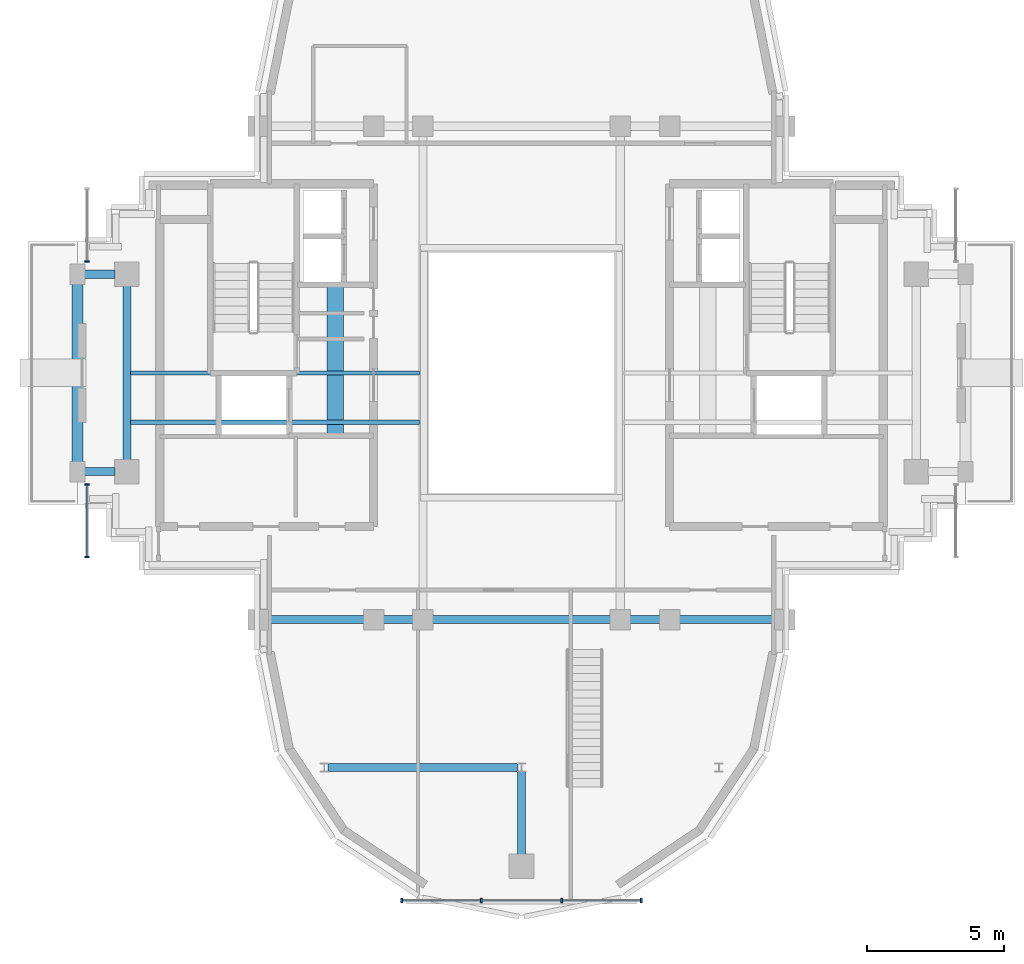
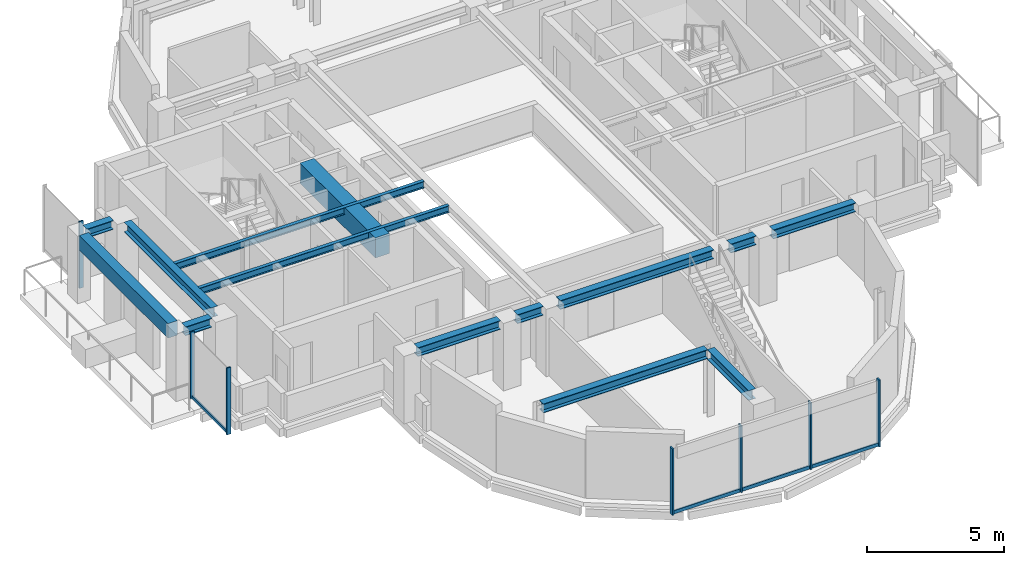
# One storey, part 3 of 12: 14 beams, 11 members, 3 elements without a shape of their own.
"""IFC4 building model written with IfcOpenShell, lengths in metres."""

import ifcopenshell
import ifcopenshell.guid

model = None  # the IFC model being written
_history = None  # IfcOwnerHistory: only IFC2X3 demands one
_inside = {}  # id of a spatial element -> (the spatial element, [elements in it])
_under = {}  # id of a project, library or spatial element -> (it, [spatial elements below it])
_declared = {}  # id of a project -> (the project, [libraries it declares])
_typed = {}  # id of a type object -> (the type object, [elements of that type])
_made_of = {}  # id of a material, layer set ... -> (it, [elements and type objects made of it])


def new_model(schema):
    """Start an empty IFC model of exactly this schema.

    Asked for "IFC4X3", IfcOpenShell would pick the latest addendum, in which some entities
    have other attributes; the version numbers below select the first issue.
    IFC2X3 requires an IfcOwnerHistory on every rooted entity: one is made here for all.
    """
    global model, _history
    if schema == "IFC4X3":
        model = ifcopenshell.file(schema_version=(4, 3, 0, 0))
    else:
        model = ifcopenshell.file(schema=schema)
    _inside.clear()
    _under.clear()
    _declared.clear()
    _typed.clear()
    _made_of.clear()
    _history = None
    if model.schema == "IFC2X3":
        org = make("IfcOrganization", Name="unknown")
        user = make(
            "IfcPersonAndOrganization",
            ThePerson=make("IfcPerson", FamilyName="unknown"),
            TheOrganization=org,
        )
        app = make(
            "IfcApplication",
            ApplicationDeveloper=org,
            Version="unknown",
            ApplicationFullName="unknown",
            ApplicationIdentifier="unknown",
        )
        _history = make(
            "IfcOwnerHistory",
            OwningUser=user,
            OwningApplication=app,
            ChangeAction="ADDED",
            CreationDate=0,
        )
    return model


def make(cls, **values):
    """One entity of the class cls with the attributes given. An attribute that is None is left unset."""
    return model.create_entity(
        cls, **{name: value for name, value in values.items() if value is not None}
    )


def rooted(cls, **values):
    """An entity with a GlobalId (a new one), such as an element, a storey or a relation."""
    return make(cls, GlobalId=ifcopenshell.guid.new(), OwnerHistory=_history, **values)


def si_unit(unit_type, name, prefix=None):
    """IfcSIUnit, for example si_unit("LENGTHUNIT", "METRE", prefix="MILLI")."""
    return make("IfcSIUnit", UnitType=unit_type, Prefix=prefix, Name=name)


def assignment(units):
    """IfcUnitAssignment: the units of a project."""
    return None if units is None else make("IfcUnitAssignment", Units=units)


def point(xyz):
    """IfcCartesianPoint."""
    return None if xyz is None else make("IfcCartesianPoint", Coordinates=xyz)


def direction(xyz):
    """IfcDirection."""
    return None if xyz is None else make("IfcDirection", DirectionRatios=xyz)


def frame(location, z_axis=None, x_axis=None):
    """IfcAxis2Placement3D, a coordinate frame: its origin and axes. An axis left out is left unset."""
    return make(
        "IfcAxis2Placement3D",
        Location=point(location),
        Axis=direction(z_axis),
        RefDirection=direction(x_axis),
    )


def frame_2d(location, x_axis=None):
    """IfcAxis2Placement2D, a coordinate frame in the plane: its origin and x axis."""
    return make(
        "IfcAxis2Placement2D", Location=point(location), RefDirection=direction(x_axis)
    )


def origin():
    """The frame at (0, 0, 0) with its axes left unset."""
    return frame((0.0, 0.0, 0.0))


def origin_2d():
    """The frame at (0, 0) in the plane with its x axis left unset."""
    return frame_2d((0.0, 0.0))


def place(relative_to, where):
    """IfcLocalPlacement: puts the frame where relative to a parent placement (None: the world)."""
    return make(
        "IfcLocalPlacement", PlacementRelTo=relative_to, RelativePlacement=where
    )


def context(
    kind, dimensions, precision=None, world=None, true_north=None, identifier=None
):
    """IfcGeometricRepresentationContext, for example the 3D "Model" context."""
    return make(
        "IfcGeometricRepresentationContext",
        ContextIdentifier=identifier,
        ContextType=kind,
        CoordinateSpaceDimension=dimensions,
        Precision=precision,
        WorldCoordinateSystem=world,
        TrueNorth=true_north,
    )


def subcontext(parent, identifier, kind, view, scale=None):
    """IfcGeometricRepresentationSubContext, for example "Body" below "Model"."""
    return make(
        "IfcGeometricRepresentationSubContext",
        ContextIdentifier=identifier,
        ContextType=kind,
        ParentContext=parent,
        TargetScale=scale,
        TargetView=view,
    )


def project(units=None, contexts=None):
    """IfcProject with its units and contexts."""
    return rooted(
        "IfcProject",
        Name="project",
        RepresentationContexts=contexts,
        UnitsInContext=assignment(units),
    )


def spatial(cls, under=None, at=None, **own):
    """A site, building, storey or space (cls), placed at a placement, below another one or the project."""
    s = rooted(cls, ObjectPlacement=at, **own)
    if under is not None:
        _under.setdefault(under.id(), (under, []))[1].append(s)
    return s


def profile(cls, at=None, kind="AREA", **sizes):
    """A parametric profile (cls). Its sizes go by their IFC names, for example OverallWidth=200.0."""
    return make(cls, ProfileType=kind, Position=at, **sizes)


def rectangle(**sizes):
    """IfcRectangleProfileDef."""
    return profile("IfcRectangleProfileDef", **sizes)


def i_section(**sizes):
    """IfcIShapeProfileDef."""
    return profile("IfcIShapeProfileDef", **sizes)


def extrude(swept, where, along, depth):
    """IfcExtrudedAreaSolid: the profile swept, set in the frame where, extruded along a direction by depth."""
    return make(
        "IfcExtrudedAreaSolid",
        SweptArea=swept,
        Position=where,
        ExtrudedDirection=direction(along),
        Depth=depth,
    )


def shape(context_of_items, identifier, shape_type, items):
    """IfcShapeRepresentation: the items that make up one representation, for example the "Body"."""
    return make(
        "IfcShapeRepresentation",
        ContextOfItems=context_of_items,
        RepresentationIdentifier=identifier,
        RepresentationType=shape_type,
        Items=items,
    )


def source(mapping_origin, context_of_items, identifier, shape_type, items):
    """IfcRepresentationMap: a shape defined once, which mapped items show again and again."""
    return make(
        "IfcRepresentationMap",
        MappingOrigin=mapping_origin,
        MappedRepresentation=shape(context_of_items, identifier, shape_type, items),
    )


def transform(
    local_origin,
    x_axis=None,
    y_axis=None,
    z_axis=None,
    scale=None,
    scale2=None,
    scale3=None,
    uniform=True,
):
    """IfcCartesianTransformationOperator3D, or its non-uniform kind. x_axis, y_axis, z_axis: its Axis1, 2, 3."""
    if uniform:
        return make(
            "IfcCartesianTransformationOperator3D",
            Axis1=direction(x_axis),
            Axis2=direction(y_axis),
            LocalOrigin=point(local_origin),
            Scale=scale,
            Axis3=direction(z_axis),
        )
    return make(
        "IfcCartesianTransformationOperator3DnonUniform",
        Axis1=direction(x_axis),
        Axis2=direction(y_axis),
        LocalOrigin=point(local_origin),
        Scale=scale,
        Axis3=direction(z_axis),
        Scale2=scale2,
        Scale3=scale3,
    )


def mapped(mapping_source, mapping_target):
    """IfcMappedItem: shows the shape of a source again, moved by a transform."""
    return make(
        "IfcMappedItem", MappingSource=mapping_source, MappingTarget=mapping_target
    )


def material(Name=None, Category=None):
    """IfcMaterial."""
    return make("IfcMaterial", Name=Name, Category=Category)


def material_profile(
    of_material, cross_section, Name=None, Category=None, Priority=None
):
    """IfcMaterialProfile: a cross section and its material."""
    return make(
        "IfcMaterialProfile",
        Name=Name,
        Material=of_material,
        Profile=cross_section,
        Priority=Priority,
        Category=Category,
    )


def profile_set(profiles, Name=None, composite=None):
    """IfcMaterialProfileSet."""
    return make(
        "IfcMaterialProfileSet",
        Name=Name,
        MaterialProfiles=profiles,
        CompositeProfile=composite,
    )


def made_of(thing, what):
    """Note that an element or type object is made of a material, layer set ...; save() writes the relation."""
    if what is not None:
        _made_of.setdefault(what.id(), (what, []))[1].append(thing)
    return thing


def type_object(cls, material=None, **own):
    """A type object (cls), such as IfcWallType, which elements share."""
    return made_of(rooted(cls, **own), material)


def element(
    cls,
    number,
    at=None,
    inside=None,
    cuts=None,
    type_object=None,
    material=None,
    context=None,
    identifier="Body",
    shape_type=None,
    held_by="IfcProductDefinitionShape",
    body=None,
    shapes=None,
    **own,
):
    """One element of the class cls, such as IfcWall. Its Tag is "e" and its number.

    at: its placement. inside: the storey or other place that contains it. cuts: it is an
    opening in that element (IfcRelVoidsElement). A single representation is given by context,
    identifier, shape_type and body (its items); several are given by shapes. held_by: the class
    of the entity that holds the representations. save() writes the other relations.
    """
    e = rooted(cls, Tag="e%d" % number, ObjectPlacement=at, **own)
    if body is not None:
        shapes = [shape(context, identifier, shape_type, body)]
    if shapes is not None:
        e.Representation = make(held_by, Representations=shapes)
    if inside is not None:
        _inside.setdefault(inside.id(), (inside, []))[1].append(e)
    if cuts is not None:
        rooted(
            "IfcRelVoidsElement", RelatingBuildingElement=cuts, RelatedOpeningElement=e
        )
    if type_object is not None:
        _typed.setdefault(type_object.id(), (type_object, []))[1].append(e)
    return made_of(e, material)


def aggregate(whole, parts):
    """IfcRelAggregates: a whole, such as a stair, and the parts it consists of."""
    return rooted("IfcRelAggregates", RelatingObject=whole, RelatedObjects=parts)


def save(model, path):
    """Write the relations noted so far, then the file.

    IfcRelAggregates (storeys below a building ...), IfcRelContainedInSpatialStructure (elements
    in a storey), IfcRelDefinesByType, IfcRelAssociatesMaterial and IfcRelDeclares: one each for
    every whole, place, type object, material and project.
    """
    for whole, parts in _under.values():
        aggregate(whole, parts)
    for where, things in _inside.values():
        rooted(
            "IfcRelContainedInSpatialStructure",
            RelatedElements=things,
            RelatingStructure=where,
        )
    for kind, things in _typed.values():
        rooted("IfcRelDefinesByType", RelatedObjects=things, RelatingType=kind)
    for what, things in _made_of.values():
        rooted("IfcRelAssociatesMaterial", RelatedObjects=things, RelatingMaterial=what)
    for by, libraries in _declared.values():
        rooted("IfcRelDeclares", RelatingContext=by, RelatedDefinitions=libraries)
    model.write(path)


model = new_model("IFC4")

# Units and contexts
model_context = context("Model", 3, precision=1e-05, world=origin(), true_north=direction((0.0, 1.0)))
body_context = subcontext(model_context, "Body", "Model", "MODEL_VIEW")
ifc_project = project(units=[si_unit("LENGTHUNIT", "METRE"), si_unit("AREAUNIT", "SQUARE_METRE"), si_unit("VOLUMEUNIT", "CUBIC_METRE"), si_unit("PLANEANGLEUNIT", "RADIAN"), si_unit("MASSUNIT", "GRAM", prefix="KILO")], contexts=[model_context])

# Site, building, storey
site_placement = place(None, origin())
site = spatial("IfcSite", under=ifc_project, at=site_placement, CompositionType="ELEMENT")
building_placement = place(site_placement, origin())
building = spatial("IfcBuilding", under=site, at=building_placement, Name="Keilestroom Media Tower", CompositionType="ELEMENT")
storey_placement = place(building_placement, frame((0.0, 0.0, 252.39990234375)))
storey = spatial("IfcBuildingStorey", under=building, at=storey_placement, Name="L70", CompositionType="ELEMENT", Elevation=252.39990234375)

# Beams
ifc_material_1 = material(Name="Concrete C70/85", Category="concrete")
ifc_material_profile_1 = material_profile(ifc_material_1, rectangle(XDim=0.60009765625, YDim=0.89990234375, at=origin_2d()), Name="RC 600x900")
ifc_profile_set_1 = profile_set([ifc_material_profile_1], Name="Concrete C70/85")
beam_type_1 = type_object("IfcBeamType", Name="Core-Coupling-Lintel-Beam-RC-600x900", PredefinedType="LINTEL", material=ifc_profile_set_1)
shared_shape_1 = source(origin(), body_context, "Body", "SweptSolid", [
    extrude(rectangle(XDim=0.60009765625, YDim=0.89990234375, at=origin_2d()), origin(), (0.0, 0.0, 1.0), 5.52001953125),
])
beam_1_placement = place(storey_placement, frame((-6.800048828125, -2.300048828125, 2.56005859375), z_axis=(0.0, 1.0, 0.0), x_axis=(-1.0, 0.0, 0.0)))
element("IfcBeam", 1, at=beam_1_placement, inside=storey, type_object=beam_type_1, Name="L70 Beam CLB-1 CLB-L70-W", PredefinedType="LINTEL", context=body_context, shape_type="MappedRepresentation", body=[
    mapped(shared_shape_1, transform((0.0, 0.0, 0.0), x_axis=(1.0, 0.0, 0.0), y_axis=(0.0, 1.0, 0.0), z_axis=(0.0, 0.0, 1.0), scale=1.0)),
])
ifc_material_2 = material(Name="Steel S355", Category="steel")
ifc_material_profile_2 = material_profile(ifc_material_2, i_section(OverallWidth=0.300048828125, OverallDepth=0.39990234375, WebThickness=0.011474609375, FlangeThickness=0.02392578125, at=origin_2d()), Name="HEB 400")
ifc_profile_set_2 = profile_set([ifc_material_profile_2], Name="Steel S355")
beam_type_2 = type_object("IfcBeamType", Name="Primary-Structural-Girder-HEB-400", PredefinedType="BEAM", material=ifc_profile_set_2)
shared_shape_2 = source(origin(), body_context, "Body", "SweptSolid", [
    extrude(i_section(OverallWidth=0.300048828125, OverallDepth=0.39990234375, WebThickness=0.011474609375, FlangeThickness=0.02392578125, at=origin_2d()), origin(), (0.0, 0.0, 1.0), 6.940185546875),
])
beam_2_placement = place(storey_placement, frame((-7.070068359375, -14.39990234375, 2.81005859375), z_axis=(1.0, 0.0, 0.0), x_axis=(0.0, 1.0, 0.0)))
element("IfcBeam", 2, at=beam_2_placement, inside=storey, type_object=beam_type_2, Name="L70 Beam BG-8 BM-L70-EW-001", PredefinedType="BEAM", context=body_context, shape_type="MappedRepresentation", body=[
    mapped(shared_shape_2, transform((0.0, 0.0, 0.0), x_axis=(1.0, 0.0, 0.0), y_axis=(0.0, 1.0, 0.0), z_axis=(0.0, 0.0, 1.0), scale=1.0)),
])
shared_shape_3 = source(origin(), body_context, "Body", "SweptSolid", [
    extrude(i_section(OverallWidth=0.300048828125, OverallDepth=0.39990234375, WebThickness=0.011474609375, FlangeThickness=0.02392578125, at=origin_2d()), origin(), (0.0, 0.0, 1.0), 3.490234375),
])
for number, where, z_axis, x_axis, name in (
    (3, (-9.2451171875, -9.0, 2.81005859375), (1.0, 0.0, 0.0), (0.0, 1.0, 0.0), "L70 Beam BG-8 BM-L70-EW-003"),
    (4, (5.7548828125, -9.0, 2.81005859375), (1.0, 0.0, 0.0), (0.0, 1.0, 0.0), "L70 Beam BG-8 BM-L70-EW-007"),
):
    element("IfcBeam", number, at=place(storey_placement, frame(where, z_axis=z_axis, x_axis=x_axis)), inside=storey, type_object=beam_type_2, Name=name, PredefinedType="BEAM", context=body_context, shape_type="MappedRepresentation", body=[
        mapped(shared_shape_3, transform((0.0, 0.0, 0.0), x_axis=(1.0, 0.0, 0.0), y_axis=(0.0, 1.0, 0.0), z_axis=(0.0, 0.0, 1.0), scale=1.0)),
    ])
shared_shape_4 = source(origin(), body_context, "Body", "SweptSolid", [
    extrude(i_section(OverallWidth=0.300048828125, OverallDepth=0.39990234375, WebThickness=0.011474609375, FlangeThickness=0.02392578125, at=origin_2d()), origin(), (0.0, 0.0, 1.0), 1.08984375),
])
for number, where, z_axis, x_axis, name in (
    (5, (-5.044921875, -9.0, 2.81005859375), (1.0, 0.0, 0.0), (0.0, 1.0, 0.0), "L70 Beam BG-8 BM-L70-EW-004"),
    (6, (3.955078125, -9.0, 2.81005859375), (1.0, 0.0, 0.0), (0.0, 1.0, 0.0), "L70 Beam BG-8 BM-L70-EW-006"),
):
    element("IfcBeam", number, at=place(storey_placement, frame(where, z_axis=z_axis, x_axis=x_axis)), inside=storey, type_object=beam_type_2, Name=name, PredefinedType="BEAM", context=body_context, shape_type="MappedRepresentation", body=[
        mapped(shared_shape_4, transform((0.0, 0.0, 0.0), x_axis=(1.0, 0.0, 0.0), y_axis=(0.0, 1.0, 0.0), z_axis=(0.0, 0.0, 1.0), scale=1.0)),
    ])
shared_shape_5 = source(origin(), body_context, "Body", "SweptSolid", [
    extrude(i_section(OverallWidth=0.300048828125, OverallDepth=0.39990234375, WebThickness=0.011474609375, FlangeThickness=0.02392578125, at=origin_2d()), origin(), (0.0, 0.0, 1.0), 6.490234375),
])
beam_3_placement = place(storey_placement, frame((-3.2451171875, -9.0, 2.81005859375), z_axis=(1.0, 0.0, 0.0), x_axis=(0.0, 1.0, 0.0)))
element("IfcBeam", 7, at=beam_3_placement, inside=storey, type_object=beam_type_2, Name="L70 Beam BG-8 BM-L70-EW-005", PredefinedType="BEAM", context=body_context, shape_type="MappedRepresentation", body=[
    mapped(shared_shape_5, transform((0.0, 0.0, 0.0), x_axis=(1.0, 0.0, 0.0), y_axis=(0.0, 1.0, 0.0), z_axis=(0.0, 0.0, 1.0), scale=1.0)),
])
ifc_material_3 = material(Name="Precast concrete C40/50", Category="concrete")
ifc_material_profile_3 = material_profile(ifc_material_3, rectangle(XDim=0.39990234375, YDim=0.64990234375, at=origin_2d()), Name="PC 400x650")
ifc_profile_set_3 = profile_set([ifc_material_profile_3], Name="Precast concrete C40/50")
beam_type_3 = type_object("IfcBeamType", Name="Perimeter-Spandrel-Beam-PC-400x650", PredefinedType="SPANDREL", material=ifc_profile_set_3)
shared_shape_6 = source(origin(), body_context, "Body", "SweptSolid", [
    extrude(rectangle(XDim=0.39990234375, YDim=0.64990234375, at=origin_2d()), origin(), (0.0, 0.0, 1.0), 6.490234375),
])
beam_4_placement = place(storey_placement, frame((-16.199951171875, -3.2451171875, 2.68505859375), z_axis=(0.0, 1.0, 0.0), x_axis=(-1.0, 0.0, 0.0)))
element("IfcBeam", 8, at=beam_4_placement, inside=storey, type_object=beam_type_3, Name="L70 Beam SPB-2 BM-L70-NS-021", PredefinedType="SPANDREL", context=body_context, shape_type="MappedRepresentation", body=[
    mapped(shared_shape_6, transform((0.0, 0.0, 0.0), x_axis=(1.0, 0.0, 0.0), y_axis=(0.0, 1.0, 0.0), z_axis=(0.0, 0.0, 1.0), scale=1.0)),
])
ifc_material_profile_4 = material_profile(ifc_material_2, i_section(OverallWidth=0.300048828125, OverallDepth=0.43994140625, WebThickness=0.011474609375, FlangeThickness=0.02099609375, at=origin_2d()), Name="HEA 450")
ifc_profile_set_4 = profile_set([ifc_material_profile_4], Name="Steel S355")
beam_type_4 = type_object("IfcBeamType", Name="Primary-Structural-Girder-HEA-450", PredefinedType="BEAM", material=ifc_profile_set_4)
shared_shape_7 = source(origin(), body_context, "Body", "SweptSolid", [
    extrude(i_section(OverallWidth=0.300048828125, OverallDepth=0.43994140625, WebThickness=0.011474609375, FlangeThickness=0.02099609375, at=origin_2d()), origin(), (0.0, 0.0, 1.0), 6.33984375),
])
beam_5_placement = place(storey_placement, frame((-14.39990234375, -3.169921875, 2.7900390625), z_axis=(0.0, 1.0, 0.0), x_axis=(-1.0, 0.0, 0.0)))
element("IfcBeam", 9, at=beam_5_placement, inside=storey, type_object=beam_type_4, Name="L70 Beam BG-11 BM-L70-NS-022", PredefinedType="BEAM", context=body_context, shape_type="MappedRepresentation", body=[
    mapped(shared_shape_7, transform((0.0, 0.0, 0.0), x_axis=(1.0, 0.0, 0.0), y_axis=(0.0, 1.0, 0.0), z_axis=(0.0, 0.0, 1.0), scale=1.0)),
])
shared_shape_8 = source(origin(), body_context, "Body", "SweptSolid", [
    extrude(i_section(OverallWidth=0.300048828125, OverallDepth=0.43994140625, WebThickness=0.011474609375, FlangeThickness=0.02099609375, at=origin_2d()), origin(), (0.0, 0.0, 1.0), 3.0400390625),
])
beam_6_placement = place(storey_placement, frame((0.0, -17.570068359375, 2.7900390625), z_axis=(0.0, 1.0, 0.0), x_axis=(-1.0, 0.0, 0.0)))
element("IfcBeam", 10, at=beam_6_placement, inside=storey, type_object=beam_type_4, Name="L70 Beam BG-11 BM-L70-NS-027", PredefinedType="BEAM", context=body_context, shape_type="MappedRepresentation", body=[
    mapped(shared_shape_8, transform((0.0, 0.0, 0.0), x_axis=(1.0, 0.0, 0.0), y_axis=(0.0, 1.0, 0.0), z_axis=(0.0, 0.0, 1.0), scale=1.0)),
])
ifc_material_profile_5 = material_profile(ifc_material_2, i_section(OverallWidth=0.14990234375, OverallDepth=0.300048828125, WebThickness=0.007080078125, FlangeThickness=0.0107421875, at=origin_2d()), Name="IPE 300")
ifc_profile_set_5 = profile_set([ifc_material_profile_5], Name="Steel S355")
beam_type_5 = type_object("IfcBeamType", Name="Secondary-Floor-Joist-IPE-300", PredefinedType="JOIST", material=ifc_profile_set_5)
shared_shape_9 = source(origin(), body_context, "Body", "SweptSolid", [
    extrude(i_section(OverallWidth=0.14990234375, OverallDepth=0.300048828125, WebThickness=0.007080078125, FlangeThickness=0.0107421875, at=origin_2d()), origin(), (0.0, 0.0, 1.0), 10.5400390625),
])
for number, where, z_axis, x_axis, name in (
    (11, (-14.27001953125, -1.800048828125, 2.860107421875), (1.0, 0.0, 0.0), (0.0, 1.0, 0.0), "L70 Beam BJ-7 JST-L70-035"),
    (12, (-14.27001953125, 0.0, 2.860107421875), (1.0, 0.0, 0.0), (0.0, 1.0, 0.0), "L70 Beam BJ-7 JST-L70-038"),
):
    element("IfcBeam", number, at=place(storey_placement, frame(where, z_axis=z_axis, x_axis=x_axis)), inside=storey, type_object=beam_type_5, Name=name, PredefinedType="JOIST", context=body_context, shape_type="MappedRepresentation", body=[
        mapped(shared_shape_9, transform((0.0, 0.0, 0.0), x_axis=(1.0, 0.0, 0.0), y_axis=(0.0, 1.0, 0.0), z_axis=(0.0, 0.0, 1.0), scale=1.0)),
    ])
shared_shape_10 = source(origin(), body_context, "Body", "SweptSolid", [
    extrude(i_section(OverallWidth=0.300048828125, OverallDepth=0.39990234375, WebThickness=0.011474609375, FlangeThickness=0.02392578125, at=origin_2d()), origin(), (0.0, 0.0, 1.0), 1.114990234375),
])
for number, where, z_axis, x_axis, name in (
    (13, (-15.945068359375, -3.60009765625, 2.81005859375), (1.0, 0.0, 0.0), (0.0, 1.0, 0.0), "L70 Beam BG-8 BM-L70-EW-008"),
    (14, (-15.945068359375, 3.60009765625, 2.81005859375), (1.0, 0.0, 0.0), (0.0, 1.0, 0.0), "L70 Beam BG-8 BM-L70-EW-010"),
):
    element("IfcBeam", number, at=place(storey_placement, frame(where, z_axis=z_axis, x_axis=x_axis)), inside=storey, type_object=beam_type_2, Name=name, PredefinedType="BEAM", context=body_context, shape_type="MappedRepresentation", body=[
        mapped(shared_shape_10, transform((0.0, 0.0, 0.0), x_axis=(1.0, 0.0, 0.0), y_axis=(0.0, 1.0, 0.0), z_axis=(0.0, 0.0, 1.0), scale=1.0)),
    ])

# Curtain wall, members
ifc_material_4 = material(Name="Anodised Aluminium Alloy", Category="aluminium")
curtain_wall_type_1 = type_object("IfcCurtainWallType", Name="Unitised-Curtain-Wall-CW-6", PredefinedType="NOTDEFINED", material=ifc_material_4)
curtain_wall_1_placement = place(storey_placement, origin())
curtain_wall_1 = element("IfcCurtainWall", 15, at=curtain_wall_1_placement, inside=storey, type_object=curtain_wall_type_1, Name="L70 Curtain Wall CW-6 CW-L70-LS-1", PredefinedType="NOTDEFINED")
ifc_material_profile_6 = material_profile(ifc_material_4, rectangle(XDim=0.06494140625, YDim=0.179931640625, at=origin_2d()), Name="ALU MULLION 65x180")
ifc_profile_set_6 = profile_set([ifc_material_profile_6], Name="Anodised Aluminium Alloy")
member_type_1 = type_object("IfcMemberType", Name="Curtain-Wall-Mullion-CW-6", PredefinedType="MULLION", material=ifc_profile_set_6)
shared_shape_11 = source(origin(), body_context, "Body", "SweptSolid", [
    extrude(rectangle(XDim=0.06494140625, YDim=0.179931640625, at=origin_2d()), origin(), (0.0, 0.0, 1.0), 2.97998046875),
])
member_1_placement = place(storey_placement, frame((-4.367431640625, -19.25, 0.0), z_axis=(0.0, 0.0, 1.0), x_axis=(1.0, 0.0, 0.0)))
member_1 = element("IfcMember", 16, at=member_1_placement, type_object=member_type_1, Name="CW-6 Mullion 00", PredefinedType="MULLION", context=body_context, shape_type="MappedRepresentation", body=[
    mapped(shared_shape_11, transform((0.0, 0.0, 0.0), x_axis=(1.0, 0.0, 0.0), y_axis=(0.0, 1.0, 0.0), z_axis=(0.0, 0.0, 1.0), scale=1.0)),
])
member_2_placement = place(storey_placement, frame((-1.466796875, -19.25, 0.0), z_axis=(0.0, 0.0, 1.0), x_axis=(1.0, 0.0, 0.0)))
member_2 = element("IfcMember", 17, at=member_2_placement, type_object=member_type_1, Name="CW-6 Mullion 01", PredefinedType="MULLION", context=body_context, shape_type="MappedRepresentation", body=[
    mapped(shared_shape_11, transform((0.0, 0.0, 0.0), x_axis=(1.0, 0.0, 0.0), y_axis=(0.0, 1.0, 0.0), z_axis=(0.0, 0.0, 1.0), scale=1.0)),
])
member_3_placement = place(storey_placement, frame((1.466796875, -19.25, 0.0), z_axis=(0.0, 0.0, 1.0), x_axis=(1.0, 0.0, 0.0)))
member_3 = element("IfcMember", 18, at=member_3_placement, type_object=member_type_1, Name="CW-6 Mullion 02", PredefinedType="MULLION", context=body_context, shape_type="MappedRepresentation", body=[
    mapped(shared_shape_11, transform((0.0, 0.0, 0.0), x_axis=(1.0, 0.0, 0.0), y_axis=(0.0, 1.0, 0.0), z_axis=(0.0, 0.0, 1.0), scale=1.0)),
])
member_4_placement = place(storey_placement, frame((4.367431640625, -19.25, 0.0), z_axis=(0.0, 0.0, 1.0), x_axis=(1.0, 0.0, 0.0)))
member_4 = element("IfcMember", 19, at=member_4_placement, type_object=member_type_1, Name="CW-6 Mullion 03", PredefinedType="MULLION", context=body_context, shape_type="MappedRepresentation", body=[
    mapped(shared_shape_11, transform((0.0, 0.0, 0.0), x_axis=(1.0, 0.0, 0.0), y_axis=(0.0, 1.0, 0.0), z_axis=(0.0, 0.0, 1.0), scale=1.0)),
])
ifc_material_profile_7 = material_profile(ifc_material_4, rectangle(XDim=0.06494140625, YDim=0.14990234375, at=origin_2d()), Name="ALU TRANSOM 65x150")
ifc_profile_set_7 = profile_set([ifc_material_profile_7], Name="Anodised Aluminium Alloy")
member_type_2 = type_object("IfcMemberType", Name="Curtain-Wall-Transom-CW-6", PredefinedType="USERDEFINED", material=ifc_profile_set_7)
shared_shape_12 = source(origin(), body_context, "Body", "SweptSolid", [
    extrude(rectangle(XDim=0.06494140625, YDim=0.14990234375, at=origin_2d()), origin(), (0.0, 0.0, 1.0), 2.839599609375),
])
member_5_placement = place(storey_placement, frame((-4.3369140625, -19.25, 0.0751953125), z_axis=(1.0, 0.0, 0.0), x_axis=(0.0, 1.0, 0.0)))
member_5 = element("IfcMember", 20, at=member_5_placement, type_object=member_type_2, Name="CW-6 Transom 00.1", ObjectType="TRANSOM", PredefinedType="USERDEFINED", context=body_context, shape_type="MappedRepresentation", body=[
    mapped(shared_shape_12, transform((0.0, 0.0, 0.0), x_axis=(1.0, 0.0, 0.0), y_axis=(0.0, 1.0, 0.0), z_axis=(0.0, 0.0, 1.0), scale=1.0)),
])
member_6_placement = place(storey_placement, frame((1.497314453125, -19.25, 0.0751953125), z_axis=(1.0, 0.0, 0.0), x_axis=(0.0, 1.0, 0.0)))
member_6 = element("IfcMember", 21, at=member_6_placement, type_object=member_type_2, Name="CW-6 Transom 02.1", ObjectType="TRANSOM", PredefinedType="USERDEFINED", context=body_context, shape_type="MappedRepresentation", body=[
    mapped(shared_shape_12, transform((0.0, 0.0, 0.0), x_axis=(1.0, 0.0, 0.0), y_axis=(0.0, 1.0, 0.0), z_axis=(0.0, 0.0, 1.0), scale=1.0)),
])
shared_shape_13 = source(origin(), body_context, "Body", "SweptSolid", [
    extrude(rectangle(XDim=0.06494140625, YDim=0.14990234375, at=origin_2d()), origin(), (0.0, 0.0, 1.0), 2.87255859375),
])
member_7_placement = place(storey_placement, frame((-1.436279296875, -19.25, 0.0751953125), z_axis=(1.0, 0.0, 0.0), x_axis=(0.0, 1.0, 0.0)))
member_7 = element("IfcMember", 22, at=member_7_placement, type_object=member_type_2, Name="CW-6 Transom 01.1", ObjectType="TRANSOM", PredefinedType="USERDEFINED", context=body_context, shape_type="MappedRepresentation", body=[
    mapped(shared_shape_13, transform((0.0, 0.0, 0.0), x_axis=(1.0, 0.0, 0.0), y_axis=(0.0, 1.0, 0.0), z_axis=(0.0, 0.0, 1.0), scale=1.0)),
])
aggregate(curtain_wall_1, [member_1, member_2, member_3, member_4, member_5, member_7, member_6])

curtain_wall_type_2 = type_object("IfcCurtainWallType", Name="Unitised-Curtain-Wall-CW-4", PredefinedType="NOTDEFINED", material=ifc_material_4)
curtain_wall_2_placement = place(storey_placement, origin())
curtain_wall_2 = element("IfcCurtainWall", 23, at=curtain_wall_2_placement, inside=storey, type_object=curtain_wall_type_2, Name="L70 Curtain Wall CW-4 CW-L70-W-1", PredefinedType="NOTDEFINED")
ifc_material_profile_8 = material_profile(ifc_material_4, rectangle(XDim=0.06005859375, YDim=0.159912109375, at=origin_2d()), Name="ALU MULLION 60x160")
ifc_profile_set_8 = profile_set([ifc_material_profile_8], Name="Anodised Aluminium Alloy")
member_type_3 = type_object("IfcMemberType", Name="Curtain-Wall-Mullion-CW-4", PredefinedType="MULLION", material=ifc_profile_set_8)
shared_shape_14 = source(origin(), body_context, "Body", "SweptSolid", [
    extrude(rectangle(XDim=0.06005859375, YDim=0.159912109375, at=origin_2d()), origin(), (0.0, 0.0, 1.0), 2.97998046875),
])
member_8_placement = place(storey_placement, frame((-15.85009765625, -6.719970703125, 0.0), z_axis=(0.0, 0.0, 1.0), x_axis=(0.0, 1.0, 0.0)))
member_8 = element("IfcMember", 24, at=member_8_placement, type_object=member_type_3, Name="CW-4 Mullion 00", PredefinedType="MULLION", context=body_context, shape_type="MappedRepresentation", body=[
    mapped(shared_shape_14, transform((0.0, 0.0, 0.0), x_axis=(1.0, 0.0, 0.0), y_axis=(0.0, 1.0, 0.0), z_axis=(0.0, 0.0, 1.0), scale=1.0)),
])
member_9_placement = place(storey_placement, frame((-15.85009765625, -4.06494140625, 0.0), z_axis=(0.0, 0.0, 1.0), x_axis=(0.0, 1.0, 0.0)))
member_9 = element("IfcMember", 25, at=member_9_placement, type_object=member_type_3, Name="CW-4 Mullion 01", PredefinedType="MULLION", context=body_context, shape_type="MappedRepresentation", body=[
    mapped(shared_shape_14, transform((0.0, 0.0, 0.0), x_axis=(1.0, 0.0, 0.0), y_axis=(0.0, 1.0, 0.0), z_axis=(0.0, 0.0, 1.0), scale=1.0)),
])

# Curtain wall, member
curtain_wall_3_placement = place(storey_placement, origin())
curtain_wall_3 = element("IfcCurtainWall", 26, at=curtain_wall_3_placement, inside=storey, type_object=curtain_wall_type_2, Name="L70 Curtain Wall CW-4 CW-L70-W-2", PredefinedType="NOTDEFINED")
member_10_placement = place(storey_placement, frame((-15.85009765625, 4.06494140625, 0.0), z_axis=(0.0, 0.0, 1.0), x_axis=(0.0, 1.0, 0.0)))
member_10 = element("IfcMember", 27, at=member_10_placement, type_object=member_type_3, Name="CW-4 Mullion 00", PredefinedType="MULLION", context=body_context, shape_type="MappedRepresentation", body=[
    mapped(shared_shape_14, transform((0.0, 0.0, 0.0), x_axis=(1.0, 0.0, 0.0), y_axis=(0.0, 1.0, 0.0), z_axis=(0.0, 0.0, 1.0), scale=1.0)),
])
aggregate(curtain_wall_3, [member_10])

# Member
ifc_material_profile_9 = material_profile(ifc_material_4, rectangle(XDim=0.06005859375, YDim=0.1298828125, at=origin_2d()), Name="ALU TRANSOM 60x130")
ifc_profile_set_9 = profile_set([ifc_material_profile_9], Name="Anodised Aluminium Alloy")
member_type_4 = type_object("IfcMemberType", Name="Curtain-Wall-Transom-CW-4", PredefinedType="USERDEFINED", material=ifc_profile_set_9)
shared_shape_15 = source(origin(), body_context, "Body", "SweptSolid", [
    extrude(rectangle(XDim=0.06005859375, YDim=0.1298828125, at=origin_2d()), origin(), (0.0, 0.0, 1.0), 2.598876953125),
])
member_11_placement = place(storey_placement, frame((-15.85009765625, -6.69189453125, 0.065185546875), z_axis=(0.0, 1.0, 0.0), x_axis=(-1.0, 0.0, 0.0)))
member_11 = element("IfcMember", 28, at=member_11_placement, type_object=member_type_4, Name="CW-4 Transom 00.1", ObjectType="TRANSOM", PredefinedType="USERDEFINED", context=body_context, shape_type="MappedRepresentation", body=[
    mapped(shared_shape_15, transform((0.0, 0.0, 0.0), x_axis=(1.0, 0.0, 0.0), y_axis=(0.0, 1.0, 0.0), z_axis=(0.0, 0.0, 1.0), scale=1.0)),
])

aggregate(curtain_wall_2, [member_8, member_9, member_11])

save(model, "model.ifc")
